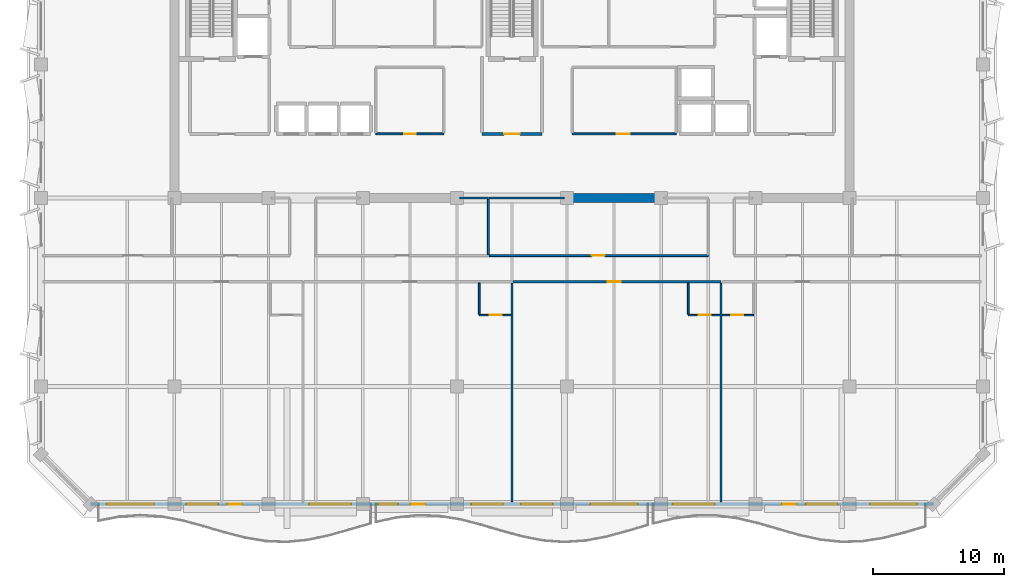
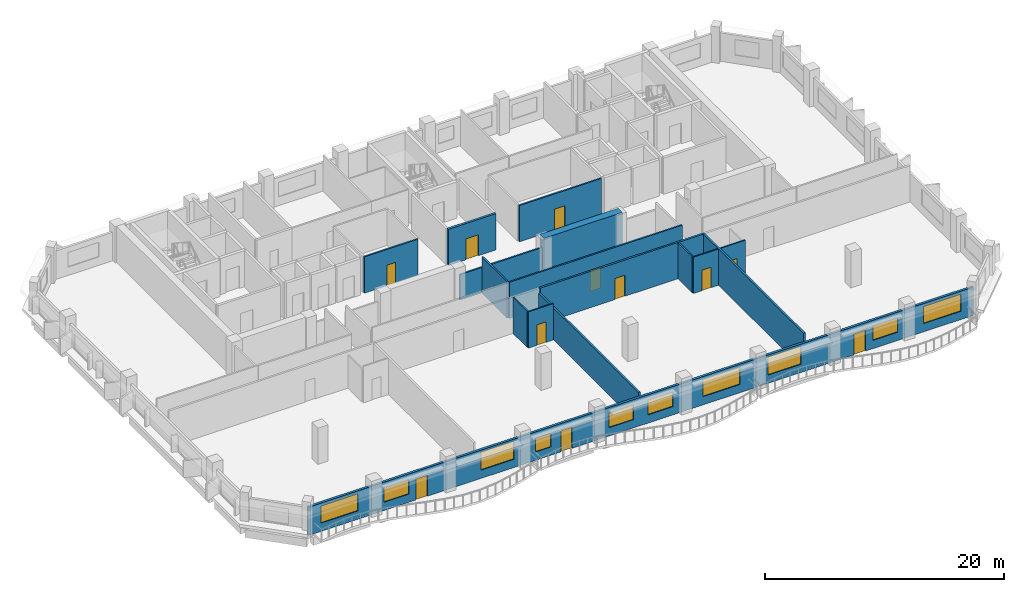
# One storey, part 4 of 11: 17 walls, 11 doors, 10 windows, 21 openings.
"""IFC4 building model written with IfcOpenShell, lengths in metres."""

import ifcopenshell
import ifcopenshell.guid

model = None  # the IFC model being written
_history = None  # IfcOwnerHistory: only IFC2X3 demands one
_inside = {}  # id of a spatial element -> (the spatial element, [elements in it])
_under = {}  # id of a project, library or spatial element -> (it, [spatial elements below it])
_declared = {}  # id of a project -> (the project, [libraries it declares])
_typed = {}  # id of a type object -> (the type object, [elements of that type])
_made_of = {}  # id of a material, layer set ... -> (it, [elements and type objects made of it])


def new_model(schema):
    """Start an empty IFC model of exactly this schema.

    Asked for "IFC4X3", IfcOpenShell would pick the latest addendum, in which some entities
    have other attributes; the version numbers below select the first issue.
    IFC2X3 requires an IfcOwnerHistory on every rooted entity: one is made here for all.
    """
    global model, _history
    if schema == "IFC4X3":
        model = ifcopenshell.file(schema_version=(4, 3, 0, 0))
    else:
        model = ifcopenshell.file(schema=schema)
    _inside.clear()
    _under.clear()
    _declared.clear()
    _typed.clear()
    _made_of.clear()
    _history = None
    if model.schema == "IFC2X3":
        org = make("IfcOrganization", Name="unknown")
        user = make(
            "IfcPersonAndOrganization",
            ThePerson=make("IfcPerson", FamilyName="unknown"),
            TheOrganization=org,
        )
        app = make(
            "IfcApplication",
            ApplicationDeveloper=org,
            Version="unknown",
            ApplicationFullName="unknown",
            ApplicationIdentifier="unknown",
        )
        _history = make(
            "IfcOwnerHistory",
            OwningUser=user,
            OwningApplication=app,
            ChangeAction="ADDED",
            CreationDate=0,
        )
    return model


def make(cls, **values):
    """One entity of the class cls with the attributes given. An attribute that is None is left unset."""
    return model.create_entity(
        cls, **{name: value for name, value in values.items() if value is not None}
    )


def rooted(cls, **values):
    """An entity with a GlobalId (a new one), such as an element, a storey or a relation."""
    return make(cls, GlobalId=ifcopenshell.guid.new(), OwnerHistory=_history, **values)


def si_unit(unit_type, name, prefix=None):
    """IfcSIUnit, for example si_unit("LENGTHUNIT", "METRE", prefix="MILLI")."""
    return make("IfcSIUnit", UnitType=unit_type, Prefix=prefix, Name=name)


def assignment(units):
    """IfcUnitAssignment: the units of a project."""
    return None if units is None else make("IfcUnitAssignment", Units=units)


def point(xyz):
    """IfcCartesianPoint."""
    return None if xyz is None else make("IfcCartesianPoint", Coordinates=xyz)


def direction(xyz):
    """IfcDirection."""
    return None if xyz is None else make("IfcDirection", DirectionRatios=xyz)


def frame(location, z_axis=None, x_axis=None):
    """IfcAxis2Placement3D, a coordinate frame: its origin and axes. An axis left out is left unset."""
    return make(
        "IfcAxis2Placement3D",
        Location=point(location),
        Axis=direction(z_axis),
        RefDirection=direction(x_axis),
    )


def frame_2d(location, x_axis=None):
    """IfcAxis2Placement2D, a coordinate frame in the plane: its origin and x axis."""
    return make(
        "IfcAxis2Placement2D", Location=point(location), RefDirection=direction(x_axis)
    )


def origin():
    """The frame at (0, 0, 0) with its axes left unset."""
    return frame((0.0, 0.0, 0.0))


def place(relative_to, where):
    """IfcLocalPlacement: puts the frame where relative to a parent placement (None: the world)."""
    return make(
        "IfcLocalPlacement", PlacementRelTo=relative_to, RelativePlacement=where
    )


def context(
    kind, dimensions, precision=None, world=None, true_north=None, identifier=None
):
    """IfcGeometricRepresentationContext, for example the 3D "Model" context."""
    return make(
        "IfcGeometricRepresentationContext",
        ContextIdentifier=identifier,
        ContextType=kind,
        CoordinateSpaceDimension=dimensions,
        Precision=precision,
        WorldCoordinateSystem=world,
        TrueNorth=true_north,
    )


def subcontext(parent, identifier, kind, view, scale=None):
    """IfcGeometricRepresentationSubContext, for example "Body" below "Model"."""
    return make(
        "IfcGeometricRepresentationSubContext",
        ContextIdentifier=identifier,
        ContextType=kind,
        ParentContext=parent,
        TargetScale=scale,
        TargetView=view,
    )


def project(units=None, contexts=None):
    """IfcProject with its units and contexts."""
    return rooted(
        "IfcProject",
        Name="project",
        RepresentationContexts=contexts,
        UnitsInContext=assignment(units),
    )


def spatial(cls, under=None, at=None, **own):
    """A site, building, storey or space (cls), placed at a placement, below another one or the project."""
    s = rooted(cls, ObjectPlacement=at, **own)
    if under is not None:
        _under.setdefault(under.id(), (under, []))[1].append(s)
    return s


def profile(cls, at=None, kind="AREA", **sizes):
    """A parametric profile (cls). Its sizes go by their IFC names, for example OverallWidth=200.0."""
    return make(cls, ProfileType=kind, Position=at, **sizes)


def rectangle(**sizes):
    """IfcRectangleProfileDef."""
    return profile("IfcRectangleProfileDef", **sizes)


def extrude(swept, where, along, depth):
    """IfcExtrudedAreaSolid: the profile swept, set in the frame where, extruded along a direction by depth."""
    return make(
        "IfcExtrudedAreaSolid",
        SweptArea=swept,
        Position=where,
        ExtrudedDirection=direction(along),
        Depth=depth,
    )


def shape(context_of_items, identifier, shape_type, items):
    """IfcShapeRepresentation: the items that make up one representation, for example the "Body"."""
    return make(
        "IfcShapeRepresentation",
        ContextOfItems=context_of_items,
        RepresentationIdentifier=identifier,
        RepresentationType=shape_type,
        Items=items,
    )


def material(Name=None, Category=None):
    """IfcMaterial."""
    return make("IfcMaterial", Name=Name, Category=Category)


def layer(
    of_material, thickness, ventilated=None, Name=None, Category=None, Priority=None
):
    """IfcMaterialLayer: one layer of a wall or slab, of a material (None: an air gap)."""
    return make(
        "IfcMaterialLayer",
        Material=of_material,
        LayerThickness=thickness,
        IsVentilated=ventilated,
        Name=Name,
        Category=Category,
        Priority=Priority,
    )


def layer_set(layers, Name=None):
    """IfcMaterialLayerSet."""
    return make("IfcMaterialLayerSet", MaterialLayers=layers, LayerSetName=Name)


def made_of(thing, what):
    """Note that an element or type object is made of a material, layer set ...; save() writes the relation."""
    if what is not None:
        _made_of.setdefault(what.id(), (what, []))[1].append(thing)
    return thing


def type_object(cls, material=None, **own):
    """A type object (cls), such as IfcWallType, which elements share."""
    return made_of(rooted(cls, **own), material)


def element(
    cls,
    number,
    at=None,
    inside=None,
    cuts=None,
    type_object=None,
    material=None,
    context=None,
    identifier="Body",
    shape_type=None,
    held_by="IfcProductDefinitionShape",
    body=None,
    shapes=None,
    **own,
):
    """One element of the class cls, such as IfcWall. Its Tag is "e" and its number.

    at: its placement. inside: the storey or other place that contains it. cuts: it is an
    opening in that element (IfcRelVoidsElement). A single representation is given by context,
    identifier, shape_type and body (its items); several are given by shapes. held_by: the class
    of the entity that holds the representations. save() writes the other relations.
    """
    e = rooted(cls, Tag="e%d" % number, ObjectPlacement=at, **own)
    if body is not None:
        shapes = [shape(context, identifier, shape_type, body)]
    if shapes is not None:
        e.Representation = make(held_by, Representations=shapes)
    if inside is not None:
        _inside.setdefault(inside.id(), (inside, []))[1].append(e)
    if cuts is not None:
        rooted(
            "IfcRelVoidsElement", RelatingBuildingElement=cuts, RelatedOpeningElement=e
        )
    if type_object is not None:
        _typed.setdefault(type_object.id(), (type_object, []))[1].append(e)
    return made_of(e, material)


def fill(opening, filler):
    """IfcRelFillsElement: the door or window that sits in an opening."""
    return rooted(
        "IfcRelFillsElement",
        RelatingOpeningElement=opening,
        RelatedBuildingElement=filler,
    )


def aggregate(whole, parts):
    """IfcRelAggregates: a whole, such as a stair, and the parts it consists of."""
    return rooted("IfcRelAggregates", RelatingObject=whole, RelatedObjects=parts)


def save(model, path):
    """Write the relations noted so far, then the file.

    IfcRelAggregates (storeys below a building ...), IfcRelContainedInSpatialStructure (elements
    in a storey), IfcRelDefinesByType, IfcRelAssociatesMaterial and IfcRelDeclares: one each for
    every whole, place, type object, material and project.
    """
    for whole, parts in _under.values():
        aggregate(whole, parts)
    for where, things in _inside.values():
        rooted(
            "IfcRelContainedInSpatialStructure",
            RelatedElements=things,
            RelatingStructure=where,
        )
    for kind, things in _typed.values():
        rooted("IfcRelDefinesByType", RelatedObjects=things, RelatingType=kind)
    for what, things in _made_of.values():
        rooted("IfcRelAssociatesMaterial", RelatedObjects=things, RelatingMaterial=what)
    for by, libraries in _declared.values():
        rooted("IfcRelDeclares", RelatingContext=by, RelatedDefinitions=libraries)
    model.write(path)


model = new_model("IFC4")

# Units and contexts
model_context = context("Model", 3, precision=1e-05, world=origin(), true_north=direction((0.0, 1.0)))
body_context = subcontext(model_context, "Body", "Model", "MODEL_VIEW")
ifc_project = project(units=[si_unit("LENGTHUNIT", "METRE"), si_unit("AREAUNIT", "SQUARE_METRE"), si_unit("VOLUMEUNIT", "CUBIC_METRE"), si_unit("PLANEANGLEUNIT", "RADIAN"), si_unit("MASSUNIT", "GRAM", prefix="KILO")], contexts=[model_context])

# Site, building, storey
site_placement = place(None, origin())
site = spatial("IfcSite", under=ifc_project, at=site_placement, CompositionType="ELEMENT")
building_placement = place(site_placement, origin())
building = spatial("IfcBuilding", under=site, at=building_placement, Name="Kaelvorn Grand Hotel", CompositionType="ELEMENT")
storey_placement = place(building_placement, frame((0.0, 0.0, 272.60009765625)))
storey = spatial("IfcBuildingStorey", under=building, at=storey_placement, Name="L67", CompositionType="ELEMENT", Elevation=272.60009765625)

# Wall
ifc_material_1 = material(Name="Concrete C50/60", Category="concrete")
ifc_layer_1 = layer(ifc_material_1, 0.699951171875)
ifc_layer_set_1 = layer_set([ifc_layer_1], Name="Concrete C50/60")
wall_type_1 = type_object("IfcWallType", Name="WL-CORE-700-C50", PredefinedType="SHEAR", material=ifc_layer_set_1)
wall_1_placement = place(storey_placement, frame((46.0, 29.39990234375, 0.0), z_axis=(0.0, 0.0, 1.0), x_axis=(1.0, 0.0, 0.0)))
element("IfcWall", 1, at=wall_1_placement, inside=storey, type_object=wall_type_1, Name="L67 Rear-Core Coupled Shear Pier S3", PredefinedType="SHEAR", context=body_context, shape_type="SweptSolid", body=[
    extrude(rectangle(XDim=7.60009765625, YDim=0.699951171875, at=frame_2d((3.800048828125, 0.0))), origin(), (0.0, 0.0, 1.0), 3.7099609375),
])

# Wall, openings, doors, windows
ifc_material_2 = material(Name="Concrete C40/50", Category="concrete")
ifc_layer_2 = layer(ifc_material_2, 0.219970703125)
ifc_layer_set_2 = layer_set([ifc_layer_2], Name="Concrete C40/50")
wall_type_2 = type_object("IfcWallType", Name="WL-EXT-220-C40", PredefinedType="SOLIDWALL", material=ifc_layer_set_2)
wall_2_placement = place(storey_placement, frame((9.800048828125, 6.0, 0.0), z_axis=(0.0, 0.0, 1.0), x_axis=(1.0, 0.0, 0.0)))
wall_2 = element("IfcWall", 2, at=wall_2_placement, inside=storey, type_object=wall_type_2, Name="L67 Exterior Architectural Concrete Wall 01", PredefinedType="SOLIDWALL", context=body_context, shape_type="SweptSolid", body=[
    extrude(rectangle(XDim=64.39990234375, YDim=0.219970703125, at=frame_2d((32.199951171875, 0.0))), origin(), (0.0, 0.0, 1.0), 2.909912109375),
])
opening_1_placement = place(wall_2_placement, frame((10.449951171875, 0.0, 0.0)))
opening_1 = element("IfcOpeningElement", 3, at=opening_1_placement, cuts=wall_2, Name="Opening DE2", PredefinedType="OPENING", context=body_context, shape_type="SweptSolid", body=[
    extrude(rectangle(XDim=1.10009765625, YDim=2.14990234375, at=frame_2d((0.550048828125, 1.074951171875))), frame((0.0, 0.1201171875, 0.0), z_axis=(0.0, -1.0, 0.0), x_axis=(1.0, 0.0, 0.0)), (0.0, 0.0, 1.0), 0.239990234375),
])
opening_2_placement = place(wall_2_placement, frame((24.449951171875, 0.0, 0.0)))
opening_2 = element("IfcOpeningElement", 4, at=opening_2_placement, cuts=wall_2, Name="Opening DE2", PredefinedType="OPENING", context=body_context, shape_type="SweptSolid", body=[
    extrude(rectangle(XDim=1.10009765625, YDim=2.14990234375, at=frame_2d((0.550048828125, 1.074951171875))), frame((0.0, 0.1201171875, 0.0), z_axis=(0.0, -1.0, 0.0), x_axis=(1.0, 0.0, 0.0)), (0.0, 0.0, 1.0), 0.239990234375),
])
opening_3_placement = place(wall_2_placement, frame((52.85009765625, 0.0, 0.0)))
opening_3 = element("IfcOpeningElement", 5, at=opening_3_placement, cuts=wall_2, Name="Opening DE2", PredefinedType="OPENING", context=body_context, shape_type="SweptSolid", body=[
    extrude(rectangle(XDim=1.10009765625, YDim=2.14990234375, at=frame_2d((0.550048828125, 1.074951171875))), frame((0.0, 0.1201171875, 0.0), z_axis=(0.0, -1.0, 0.0), x_axis=(1.0, 0.0, 0.0)), (0.0, 0.0, 1.0), 0.239990234375),
])
opening_4_placement = place(wall_2_placement, frame((1.235107421875, 0.0, 0.85009765625)))
opening_4 = element("IfcOpeningElement", 6, at=opening_4_placement, cuts=wall_2, Name="Opening W3", PredefinedType="OPENING", context=body_context, shape_type="SweptSolid", body=[
    extrude(rectangle(XDim=3.60009765625, YDim=1.75, at=frame_2d((1.800048828125, 0.875))), frame((0.0, 0.1201171875, 0.0), z_axis=(0.0, -1.0, 0.0), x_axis=(1.0, 0.0, 0.0)), (0.0, 0.0, 1.0), 0.239990234375),
])
opening_5_placement = place(wall_2_placement, frame((7.340087890625, 0.0, 0.85009765625)))
opening_5 = element("IfcOpeningElement", 7, at=opening_5_placement, cuts=wall_2, Name="Opening W6", PredefinedType="OPENING", context=body_context, shape_type="SweptSolid", body=[
    extrude(rectangle(XDim=2.39990234375, YDim=1.5, at=frame_2d((1.199951171875, 0.75))), frame((0.0, 0.1201171875, 0.0), z_axis=(0.0, -1.0, 0.0), x_axis=(1.0, 0.0, 0.0)), (0.0, 0.0, 1.0), 0.239990234375),
])
opening_6_placement = place(wall_2_placement, frame((16.71240234375, 0.0, 0.85009765625)))
opening_6 = element("IfcOpeningElement", 8, at=opening_6_placement, cuts=wall_2, Name="Opening W4", PredefinedType="OPENING", context=body_context, shape_type="SweptSolid", body=[
    extrude(rectangle(XDim=3.199951171875, YDim=1.85009765625, at=frame_2d((1.60009765625, 0.925048828125))), frame((0.0, 0.1201171875, 0.0), z_axis=(0.0, -1.0, 0.0), x_axis=(1.0, 0.0, 0.0)), (0.0, 0.0, 1.0), 0.239990234375),
])
opening_7_placement = place(wall_2_placement, frame((21.989990234375, 0.0, 0.85009765625)))
opening_7 = element("IfcOpeningElement", 9, at=opening_7_placement, cuts=wall_2, Name="Opening W10", PredefinedType="OPENING", context=body_context, shape_type="SweptSolid", body=[
    extrude(rectangle(XDim=1.5, YDim=1.39990234375, at=frame_2d((0.75, 0.699951171875))), frame((0.0, 0.1201171875, 0.0), z_axis=(0.0, -1.0, 0.0), x_axis=(1.0, 0.0, 0.0)), (0.0, 0.0, 1.0), 0.239990234375),
])
opening_8_placement = place(wall_2_placement, frame((29.10009765625, 0.0, 0.85009765625)))
opening_8 = element("IfcOpeningElement", 10, at=opening_8_placement, cuts=wall_2, Name="Opening W6", PredefinedType="OPENING", context=body_context, shape_type="SweptSolid", body=[
    extrude(rectangle(XDim=2.39990234375, YDim=1.5, at=frame_2d((1.199951171875, 0.75))), frame((0.0, 0.1201171875, 0.0), z_axis=(0.0, -1.0, 0.0), x_axis=(1.0, 0.0, 0.0)), (0.0, 0.0, 1.0), 0.239990234375),
])
opening_9_placement = place(wall_2_placement, frame((32.89990234375, 0.0, 0.85009765625)))
opening_9 = element("IfcOpeningElement", 11, at=opening_9_placement, cuts=wall_2, Name="Opening W6", PredefinedType="OPENING", context=body_context, shape_type="SweptSolid", body=[
    extrude(rectangle(XDim=2.39990234375, YDim=1.5, at=frame_2d((1.199951171875, 0.75))), frame((0.0, 0.1201171875, 0.0), z_axis=(0.0, -1.0, 0.0), x_axis=(1.0, 0.0, 0.0)), (0.0, 0.0, 1.0), 0.239990234375),
])
opening_10_placement = place(wall_2_placement, frame((38.199951171875, 0.0, 0.85009765625)))
opening_10 = element("IfcOpeningElement", 12, at=opening_10_placement, cuts=wall_2, Name="Opening W3", PredefinedType="OPENING", context=body_context, shape_type="SweptSolid", body=[
    extrude(rectangle(XDim=3.60009765625, YDim=1.75, at=frame_2d((1.800048828125, 0.875))), frame((0.0, 0.1201171875, 0.0), z_axis=(0.0, -1.0, 0.0), x_axis=(1.0, 0.0, 0.0)), (0.0, 0.0, 1.0), 0.239990234375),
])
opening_11_placement = place(wall_2_placement, frame((44.487548828125, 0.0, 0.85009765625)))
opening_11 = element("IfcOpeningElement", 13, at=opening_11_placement, cuts=wall_2, Name="Opening W4", PredefinedType="OPENING", context=body_context, shape_type="SweptSolid", body=[
    extrude(rectangle(XDim=3.199951171875, YDim=1.85009765625, at=frame_2d((1.60009765625, 0.925048828125))), frame((0.0, 0.1201171875, 0.0), z_axis=(0.0, -1.0, 0.0), x_axis=(1.0, 0.0, 0.0)), (0.0, 0.0, 1.0), 0.239990234375),
])
opening_12_placement = place(wall_2_placement, frame((54.659912109375, 0.0, 0.85009765625)))
opening_12 = element("IfcOpeningElement", 14, at=opening_12_placement, cuts=wall_2, Name="Opening W6", PredefinedType="OPENING", context=body_context, shape_type="SweptSolid", body=[
    extrude(rectangle(XDim=2.39990234375, YDim=1.5, at=frame_2d((1.199951171875, 0.75))), frame((0.0, 0.1201171875, 0.0), z_axis=(0.0, -1.0, 0.0), x_axis=(1.0, 0.0, 0.0)), (0.0, 0.0, 1.0), 0.239990234375),
])
opening_13_placement = place(wall_2_placement, frame((59.56494140625, 0.0, 0.85009765625)))
opening_13 = element("IfcOpeningElement", 15, at=opening_13_placement, cuts=wall_2, Name="Opening W3", PredefinedType="OPENING", context=body_context, shape_type="SweptSolid", body=[
    extrude(rectangle(XDim=3.60009765625, YDim=1.75, at=frame_2d((1.800048828125, 0.875))), frame((0.0, 0.1201171875, 0.0), z_axis=(0.0, -1.0, 0.0), x_axis=(1.0, 0.0, 0.0)), (0.0, 0.0, 1.0), 0.239990234375),
])
ifc_material_3 = material(Name="Anodised Aluminium", Category="aluminium")
door_type_1 = type_object("IfcDoorType", Name="DR-EXT-BALC-1100x2150", OperationType="NOTDEFINED", PredefinedType="DOOR", material=ifc_material_3)
door_1_placement = place(opening_1_placement, origin())
door_1 = element("IfcDoor", 16, at=door_1_placement, inside=storey, type_object=door_type_1, Name="L67 Scalloped Balcony Glazed Door DE2-1", OperationType="SINGLE_SWING_RIGHT", OverallHeight=2.14990234375, OverallWidth=1.10009765625, PredefinedType="DOOR", context=body_context, shape_type="SweptSolid", body=[
    extrude(rectangle(XDim=1.10009765625, YDim=2.14990234375, at=frame_2d((0.550048828125, 1.074951171875))), frame((0.0, 0.02490234375, 0.0), z_axis=(0.0, -1.0, 0.0), x_axis=(1.0, 0.0, 0.0)), (0.0, 0.0, 1.0), 0.050048828125),
])
fill(opening_1, door_1)
door_2_placement = place(opening_2_placement, origin())
door_2 = element("IfcDoor", 17, at=door_2_placement, inside=storey, type_object=door_type_1, Name="L67 Scalloped Balcony Glazed Door DE2-2", OperationType="SINGLE_SWING_LEFT", OverallHeight=2.14990234375, OverallWidth=1.10009765625, PredefinedType="DOOR", context=body_context, shape_type="SweptSolid", body=[
    extrude(rectangle(XDim=1.10009765625, YDim=2.14990234375, at=frame_2d((0.550048828125, 1.074951171875))), frame((0.0, 0.02490234375, 0.0), z_axis=(0.0, -1.0, 0.0), x_axis=(1.0, 0.0, 0.0)), (0.0, 0.0, 1.0), 0.050048828125),
])
fill(opening_2, door_2)
door_3_placement = place(opening_3_placement, origin())
door_3 = element("IfcDoor", 18, at=door_3_placement, inside=storey, type_object=door_type_1, Name="L67 Scalloped Balcony Glazed Door DE2-3", OperationType="SINGLE_SWING_RIGHT", OverallHeight=2.14990234375, OverallWidth=1.10009765625, PredefinedType="DOOR", context=body_context, shape_type="SweptSolid", body=[
    extrude(rectangle(XDim=1.10009765625, YDim=2.14990234375, at=frame_2d((0.550048828125, 1.074951171875))), frame((0.0, 0.02490234375, 0.0), z_axis=(0.0, -1.0, 0.0), x_axis=(1.0, 0.0, 0.0)), (0.0, 0.0, 1.0), 0.050048828125),
])
fill(opening_3, door_3)
ifc_material_4 = material(Name="Laminated Low-E Glass", Category="glass")
window_type_1 = type_object("IfcWindowType", Name="WIN-COR-1500x1400", PartitioningType="SINGLE_PANEL", PredefinedType="WINDOW", material=ifc_material_4)
window_1_placement = place(opening_7_placement, origin())
window_1 = element("IfcWindow", 19, at=window_1_placement, inside=storey, type_object=window_type_1, Name="L67 South Guestroom Ribbon Window SR04", OverallHeight=1.39990234375, OverallWidth=1.5, PartitioningType="SINGLE_PANEL", PredefinedType="WINDOW", context=body_context, shape_type="SweptSolid", body=[
    extrude(rectangle(XDim=1.5, YDim=1.39990234375, at=frame_2d((0.75, 0.699951171875))), frame((0.0, 0.030029296875, 0.0), z_axis=(0.0, -1.0, 0.0), x_axis=(1.0, 0.0, 0.0)), (0.0, 0.0, 1.0), 0.06005859375),
])
fill(opening_7, window_1)
window_type_2 = type_object("IfcWindowType", Name="WIN-NTH-2400x1500", PartitioningType="SINGLE_PANEL", PredefinedType="WINDOW", material=ifc_material_4)
window_2_placement = place(opening_5_placement, origin())
window_2 = element("IfcWindow", 20, at=window_2_placement, inside=storey, type_object=window_type_2, Name="L67 South Guestroom Ribbon Window SR02", OverallHeight=1.5, OverallWidth=2.39990234375, PartitioningType="SINGLE_PANEL", PredefinedType="WINDOW", context=body_context, shape_type="SweptSolid", body=[
    extrude(rectangle(XDim=2.39990234375, YDim=1.5, at=frame_2d((1.199951171875, 0.75))), frame((0.0, 0.030029296875, 0.0), z_axis=(0.0, -1.0, 0.0), x_axis=(1.0, 0.0, 0.0)), (0.0, 0.0, 1.0), 0.06005859375),
])
fill(opening_5, window_2)
window_3_placement = place(opening_8_placement, origin())
window_3 = element("IfcWindow", 21, at=window_3_placement, inside=storey, type_object=window_type_2, Name="L67 South Guestroom Ribbon Window SR05", OverallHeight=1.5, OverallWidth=2.39990234375, PartitioningType="SINGLE_PANEL", PredefinedType="WINDOW", context=body_context, shape_type="SweptSolid", body=[
    extrude(rectangle(XDim=2.39990234375, YDim=1.5, at=frame_2d((1.199951171875, 0.75))), frame((0.0, 0.030029296875, 0.0), z_axis=(0.0, -1.0, 0.0), x_axis=(1.0, 0.0, 0.0)), (0.0, 0.0, 1.0), 0.06005859375),
])
fill(opening_8, window_3)
window_4_placement = place(opening_9_placement, origin())
window_4 = element("IfcWindow", 22, at=window_4_placement, inside=storey, type_object=window_type_2, Name="L67 South Guestroom Ribbon Window SR06", OverallHeight=1.5, OverallWidth=2.39990234375, PartitioningType="SINGLE_PANEL", PredefinedType="WINDOW", context=body_context, shape_type="SweptSolid", body=[
    extrude(rectangle(XDim=2.39990234375, YDim=1.5, at=frame_2d((1.199951171875, 0.75))), frame((0.0, 0.030029296875, 0.0), z_axis=(0.0, -1.0, 0.0), x_axis=(1.0, 0.0, 0.0)), (0.0, 0.0, 1.0), 0.06005859375),
])
fill(opening_9, window_4)
window_5_placement = place(opening_12_placement, origin())
window_5 = element("IfcWindow", 23, at=window_5_placement, inside=storey, type_object=window_type_2, Name="L67 South Guestroom Ribbon Window SR09", OverallHeight=1.5, OverallWidth=2.39990234375, PartitioningType="SINGLE_PANEL", PredefinedType="WINDOW", context=body_context, shape_type="SweptSolid", body=[
    extrude(rectangle(XDim=2.39990234375, YDim=1.5, at=frame_2d((1.199951171875, 0.75))), frame((0.0, 0.030029296875, 0.0), z_axis=(0.0, -1.0, 0.0), x_axis=(1.0, 0.0, 0.0)), (0.0, 0.0, 1.0), 0.06005859375),
])
fill(opening_12, window_5)
window_type_3 = type_object("IfcWindowType", Name="WIN-RIB-3200x1850", PartitioningType="SINGLE_PANEL", PredefinedType="WINDOW", material=ifc_material_4)
window_6_placement = place(opening_6_placement, origin())
window_6 = element("IfcWindow", 24, at=window_6_placement, inside=storey, type_object=window_type_3, Name="L67 South Guestroom Ribbon Window SR03", OverallHeight=1.85009765625, OverallWidth=3.199951171875, PartitioningType="SINGLE_PANEL", PredefinedType="WINDOW", context=body_context, shape_type="SweptSolid", body=[
    extrude(rectangle(XDim=3.199951171875, YDim=1.85009765625, at=frame_2d((1.60009765625, 0.925048828125))), frame((0.0, 0.030029296875, 0.0), z_axis=(0.0, -1.0, 0.0), x_axis=(1.0, 0.0, 0.0)), (0.0, 0.0, 1.0), 0.06005859375),
])
fill(opening_6, window_6)
window_7_placement = place(opening_11_placement, origin())
window_7 = element("IfcWindow", 25, at=window_7_placement, inside=storey, type_object=window_type_3, Name="L67 South Guestroom Ribbon Window SR08", OverallHeight=1.85009765625, OverallWidth=3.199951171875, PartitioningType="SINGLE_PANEL", PredefinedType="WINDOW", context=body_context, shape_type="SweptSolid", body=[
    extrude(rectangle(XDim=3.199951171875, YDim=1.85009765625, at=frame_2d((1.60009765625, 0.925048828125))), frame((0.0, 0.030029296875, 0.0), z_axis=(0.0, -1.0, 0.0), x_axis=(1.0, 0.0, 0.0)), (0.0, 0.0, 1.0), 0.06005859375),
])
fill(opening_11, window_7)
window_type_4 = type_object("IfcWindowType", Name="WIN-RIB-3600x1750", PartitioningType="SINGLE_PANEL", PredefinedType="WINDOW", material=ifc_material_4)
window_8_placement = place(opening_4_placement, origin())
window_8 = element("IfcWindow", 26, at=window_8_placement, inside=storey, type_object=window_type_4, Name="L67 South Guestroom Ribbon Window SR01", OverallHeight=1.75, OverallWidth=3.60009765625, PartitioningType="SINGLE_PANEL", PredefinedType="WINDOW", context=body_context, shape_type="SweptSolid", body=[
    extrude(rectangle(XDim=3.60009765625, YDim=1.75, at=frame_2d((1.800048828125, 0.875))), frame((0.0, 0.030029296875, 0.0), z_axis=(0.0, -1.0, 0.0), x_axis=(1.0, 0.0, 0.0)), (0.0, 0.0, 1.0), 0.06005859375),
])
fill(opening_4, window_8)
window_9_placement = place(opening_10_placement, origin())
window_9 = element("IfcWindow", 27, at=window_9_placement, inside=storey, type_object=window_type_4, Name="L67 South Guestroom Ribbon Window SR07", OverallHeight=1.75, OverallWidth=3.60009765625, PartitioningType="SINGLE_PANEL", PredefinedType="WINDOW", context=body_context, shape_type="SweptSolid", body=[
    extrude(rectangle(XDim=3.60009765625, YDim=1.75, at=frame_2d((1.800048828125, 0.875))), frame((0.0, 0.030029296875, 0.0), z_axis=(0.0, -1.0, 0.0), x_axis=(1.0, 0.0, 0.0)), (0.0, 0.0, 1.0), 0.06005859375),
])
fill(opening_10, window_9)
window_10_placement = place(opening_13_placement, origin())
window_10 = element("IfcWindow", 28, at=window_10_placement, inside=storey, type_object=window_type_4, Name="L67 South Guestroom Ribbon Window SR10", OverallHeight=1.75, OverallWidth=3.60009765625, PartitioningType="SINGLE_PANEL", PredefinedType="WINDOW", context=body_context, shape_type="SweptSolid", body=[
    extrude(rectangle(XDim=3.60009765625, YDim=1.75, at=frame_2d((1.800048828125, 0.875))), frame((0.0, 0.030029296875, 0.0), z_axis=(0.0, -1.0, 0.0), x_axis=(1.0, 0.0, 0.0)), (0.0, 0.0, 1.0), 0.06005859375),
])
fill(opening_13, window_10)

# Wall, opening, door
ifc_material_5 = material(Name="Moisture-Resistant Tile & Stud Board")
ifc_layer_3 = layer(ifc_material_5, 0.125)
ifc_layer_set_3 = layer_set([ifc_layer_3], Name="Moisture-Resistant Tile & Stud Board")
wall_type_3 = type_object("IfcWallType", Name="WL-PART-125-WET", PredefinedType="PARTITIONING", material=ifc_layer_set_3)
wall_3_placement = place(storey_placement, frame((39.5, 20.449951171875, 0.0), z_axis=(0.0, 0.0, 1.0), x_axis=(1.0, 0.0, 0.0)))
wall_3 = element("IfcWall", 29, at=wall_3_placement, inside=storey, type_object=wall_type_3, Name="L67 En-suite Bathroom L67-02 S Partition", PredefinedType="PARTITIONING", context=body_context, shape_type="SweptSolid", body=[
    extrude(rectangle(XDim=2.405029296875, YDim=0.125, at=frame_2d((1.20263671875, 0.0))), origin(), (0.0, 0.0, 1.0), 3.7099609375),
])
opening_14_placement = place(wall_3_placement, frame((0.800048828125, 0.0, 0.0)))
opening_14 = element("IfcOpeningElement", 30, at=opening_14_placement, cuts=wall_3, Name="Opening DI4", PredefinedType="OPENING", context=body_context, shape_type="SweptSolid", body=[
    extrude(rectangle(XDim=0.89990234375, YDim=2.10009765625, at=frame_2d((0.449951171875, 1.050048828125))), frame((0.0, 0.072509765625, 0.0), z_axis=(0.0, -1.0, 0.0), x_axis=(1.0, 0.0, 0.0)), (0.0, 0.0, 1.0), 0.14501953125),
])
ifc_material_6 = material(Name="Timber Veneer Leaf", Category="wood")
door_type_2 = type_object("IfcDoorType", Name="DR-INT-BATH-900x2100", OperationType="NOTDEFINED", PredefinedType="DOOR", material=ifc_material_6)
door_4_placement = place(opening_14_placement, origin())
door_4 = element("IfcDoor", 31, at=door_4_placement, inside=storey, type_object=door_type_2, Name="L67 En-suite Bathroom L67-02 Door", OperationType="SINGLE_SWING_LEFT", OverallHeight=2.10009765625, OverallWidth=0.89990234375, PredefinedType="DOOR", context=body_context, shape_type="SweptSolid", body=[
    extrude(rectangle(XDim=0.89990234375, YDim=2.10009765625, at=frame_2d((0.449951171875, 1.050048828125))), frame((0.0, 0.02490234375, 0.0), z_axis=(0.0, -1.0, 0.0), x_axis=(1.0, 0.0, 0.0)), (0.0, 0.0, 1.0), 0.050048828125),
])
fill(opening_14, door_4)

# Wall
wall_4_placement = place(storey_placement, frame((39.5, 20.517578125, 0.0), z_axis=(0.0, 0.0, 1.0), x_axis=(0.0, 1.0, 0.0)))
element("IfcWall", 32, at=wall_4_placement, inside=storey, type_object=wall_type_3, Name="L67 En-suite Bathroom L67-02 W Partition", PredefinedType="PARTITIONING", context=body_context, shape_type="SweptSolid", body=[
    extrude(rectangle(XDim=2.387451171875, YDim=0.125, at=frame_2d((1.19384765625, 0.0))), origin(), (0.0, 0.0, 1.0), 3.7099609375),
])

# Wall, opening, door
wall_5_placement = place(storey_placement, frame((55.47509765625, 20.449951171875, 0.0), z_axis=(0.0, 0.0, 1.0), x_axis=(1.0, 0.0, 0.0)))
wall_5 = element("IfcWall", 33, at=wall_5_placement, inside=storey, type_object=wall_type_3, Name="L67 En-suite Bathroom L67-03 S Partition", PredefinedType="PARTITIONING", context=body_context, shape_type="SweptSolid", body=[
    extrude(rectangle(XDim=2.40478515625, YDim=0.125, at=frame_2d((1.202392578125, 0.0))), origin(), (0.0, 0.0, 1.0), 3.7099609375),
])
opening_15_placement = place(wall_5_placement, frame((0.800048828125, 0.0, 0.0)))
opening_15 = element("IfcOpeningElement", 34, at=opening_15_placement, cuts=wall_5, Name="Opening DI4", PredefinedType="OPENING", context=body_context, shape_type="SweptSolid", body=[
    extrude(rectangle(XDim=0.89990234375, YDim=2.10009765625, at=frame_2d((0.449951171875, 1.050048828125))), frame((0.0, 0.072509765625, 0.0), z_axis=(0.0, -1.0, 0.0), x_axis=(1.0, 0.0, 0.0)), (0.0, 0.0, 1.0), 0.14501953125),
])
door_5_placement = place(opening_15_placement, origin())
door_5 = element("IfcDoor", 35, at=door_5_placement, inside=storey, type_object=door_type_2, Name="L67 En-suite Bathroom L67-03 Door", OperationType="SINGLE_SWING_LEFT", OverallHeight=2.10009765625, OverallWidth=0.89990234375, PredefinedType="DOOR", context=body_context, shape_type="SweptSolid", body=[
    extrude(rectangle(XDim=0.89990234375, YDim=2.10009765625, at=frame_2d((0.449951171875, 1.050048828125))), frame((0.0, 0.02490234375, 0.0), z_axis=(0.0, -1.0, 0.0), x_axis=(1.0, 0.0, 0.0)), (0.0, 0.0, 1.0), 0.050048828125),
])
fill(opening_15, door_5)

# Wall
wall_6_placement = place(storey_placement, frame((55.47509765625, 20.517578125, 0.0), z_axis=(0.0, 0.0, 1.0), x_axis=(0.0, 1.0, 0.0)))
element("IfcWall", 36, at=wall_6_placement, inside=storey, type_object=wall_type_3, Name="L67 En-suite Bathroom L67-03 W Partition", PredefinedType="PARTITIONING", context=body_context, shape_type="SweptSolid", body=[
    extrude(rectangle(XDim=2.387451171875, YDim=0.125, at=frame_2d((1.19384765625, 0.0))), origin(), (0.0, 0.0, 1.0), 3.7099609375),
])

# Wall, opening, door
wall_7_placement = place(storey_placement, frame((58.070068359375, 20.449951171875, 0.0), z_axis=(0.0, 0.0, 1.0), x_axis=(1.0, 0.0, 0.0)))
wall_7 = element("IfcWall", 37, at=wall_7_placement, inside=storey, type_object=wall_type_3, Name="L67 En-suite Bathroom L67-04 S Partition", PredefinedType="PARTITIONING", context=body_context, shape_type="SweptSolid", body=[
    extrude(rectangle(XDim=2.405029296875, YDim=0.125, at=frame_2d((1.20263671875, 0.0))), origin(), (0.0, 0.0, 1.0), 3.7099609375),
])
opening_16_placement = place(wall_7_placement, frame((0.705078125, 0.0, 0.0)))
opening_16 = element("IfcOpeningElement", 38, at=opening_16_placement, cuts=wall_7, Name="Opening DI4", PredefinedType="OPENING", context=body_context, shape_type="SweptSolid", body=[
    extrude(rectangle(XDim=0.89990234375, YDim=2.10009765625, at=frame_2d((0.449951171875, 1.050048828125))), frame((0.0, 0.072509765625, 0.0), z_axis=(0.0, -1.0, 0.0), x_axis=(1.0, 0.0, 0.0)), (0.0, 0.0, 1.0), 0.14501953125),
])
door_6_placement = place(opening_16_placement, origin())
door_6 = element("IfcDoor", 39, at=door_6_placement, inside=storey, type_object=door_type_2, Name="L67 En-suite Bathroom L67-04 Door", OperationType="SINGLE_SWING_LEFT", OverallHeight=2.10009765625, OverallWidth=0.89990234375, PredefinedType="DOOR", context=body_context, shape_type="SweptSolid", body=[
    extrude(rectangle(XDim=0.89990234375, YDim=2.10009765625, at=frame_2d((0.449951171875, 1.050048828125))), frame((0.0, 0.02490234375, 0.0), z_axis=(0.0, -1.0, 0.0), x_axis=(1.0, 0.0, 0.0)), (0.0, 0.0, 1.0), 0.050048828125),
])
fill(opening_16, door_6)

ifc_material_7 = material(Name="Acoustic Gypsum & Stud Partition")
ifc_layer_4 = layer(ifc_material_7, 0.14990234375)
ifc_layer_set_4 = layer_set([ifc_layer_4], Name="Acoustic Gypsum & Stud Partition")
wall_type_4 = type_object("IfcWallType", Name="WL-PART-150-EI60", PredefinedType="PARTITIONING", material=ifc_layer_set_4)
wall_8_placement = place(storey_placement, frame((31.60009765625, 34.300048828125, 0.0), z_axis=(0.0, 0.0, 1.0), x_axis=(1.0, 0.0, 0.0)))
wall_8 = element("IfcWall", 40, at=wall_8_placement, inside=storey, type_object=wall_type_4, Name="L67 Core Telecoms & BMS Server Room S Partition", PredefinedType="PARTITIONING", context=body_context, shape_type="SweptSolid", body=[
    extrude(rectangle(XDim=5.199951171875, YDim=0.14990234375, at=frame_2d((2.60009765625, 0.0))), origin(), (0.0, 0.0, 1.0), 3.7099609375),
])
opening_17_placement = place(wall_8_placement, frame((2.175048828125, 0.0, 0.0)))
opening_17 = element("IfcOpeningElement", 41, at=opening_17_placement, cuts=wall_8, Name="Opening DI7", PredefinedType="OPENING", context=body_context, shape_type="SweptSolid", body=[
    extrude(rectangle(XDim=0.85009765625, YDim=2.10009765625, at=frame_2d((0.425048828125, 1.050048828125))), frame((0.0, 0.0849609375, 0.0), z_axis=(0.0, -1.0, 0.0), x_axis=(1.0, 0.0, 0.0)), (0.0, 0.0, 1.0), 0.169921875),
])
ifc_material_8 = material(Name="Powder-Coated Steel Leaf", Category="steel")
door_type_3 = type_object("IfcDoorType", Name="DR-INT-RISER-850x2100", OperationType="NOTDEFINED", PredefinedType="DOOR", material=ifc_material_8)
door_7_placement = place(opening_17_placement, origin())
door_7 = element("IfcDoor", 42, at=door_7_placement, inside=storey, type_object=door_type_3, Name="L67 Core Telecoms & BMS Server Room Door", OperationType="SINGLE_SWING_LEFT", OverallHeight=2.10009765625, OverallWidth=0.85009765625, PredefinedType="DOOR", context=body_context, shape_type="SweptSolid", body=[
    extrude(rectangle(XDim=0.85009765625, YDim=2.10009765625, at=frame_2d((0.425048828125, 1.050048828125))), frame((0.0, 0.02490234375, 0.0), z_axis=(0.0, -1.0, 0.0), x_axis=(1.0, 0.0, 0.0)), (0.0, 0.0, 1.0), 0.050048828125),
])
fill(opening_17, door_7)

wall_9_placement = place(storey_placement, frame((46.60009765625, 34.300048828125, 0.0), z_axis=(0.0, 0.0, 1.0), x_axis=(1.0, 0.0, 0.0)))
wall_9 = element("IfcWall", 43, at=wall_9_placement, inside=storey, type_object=wall_type_4, Name="L67 Sky Concierge & Butler Pantry Lounge S Partition", PredefinedType="PARTITIONING", context=body_context, shape_type="SweptSolid", body=[
    extrude(rectangle(XDim=7.949951171875, YDim=0.14990234375, at=frame_2d((3.97509765625, 0.0))), origin(), (0.0, 0.0, 1.0), 3.7099609375),
])
opening_18_placement = place(wall_9_placement, frame((3.39990234375, 0.0, 0.0)))
opening_18 = element("IfcOpeningElement", 44, at=opening_18_placement, cuts=wall_9, Name="Opening DI3", PredefinedType="OPENING", context=body_context, shape_type="SweptSolid", body=[
    extrude(rectangle(XDim=1.0, YDim=2.14990234375, at=frame_2d((0.5, 1.074951171875))), frame((0.0, 0.0849609375, 0.0), z_axis=(0.0, -1.0, 0.0), x_axis=(1.0, 0.0, 0.0)), (0.0, 0.0, 1.0), 0.169921875),
])
ifc_material_9 = material(Name="Timber Veneer Fire Leaf", Category="wood")
door_type_4 = type_object("IfcDoorType", Name="DR-INT-GUEST-1000x2150", OperationType="NOTDEFINED", PredefinedType="DOOR", material=ifc_material_9)
door_8_placement = place(opening_18_placement, origin())
door_8 = element("IfcDoor", 45, at=door_8_placement, inside=storey, type_object=door_type_4, Name="L67 Sky Concierge & Butler Pantry Lounge Door", OperationType="SINGLE_SWING_RIGHT", OverallHeight=2.14990234375, OverallWidth=1.0, PredefinedType="DOOR", context=body_context, shape_type="SweptSolid", body=[
    extrude(rectangle(XDim=1.0, YDim=2.14990234375, at=frame_2d((0.5, 1.074951171875))), frame((0.0, 0.02490234375, 0.0), z_axis=(0.0, -1.0, 0.0), x_axis=(1.0, 0.0, 0.0)), (0.0, 0.0, 1.0), 0.050048828125),
])
fill(opening_18, door_8)

# Walls
wall_10_placement = place(storey_placement, frame((38.010009765625, 29.39990234375, 0.0), z_axis=(0.0, 0.0, 1.0), x_axis=(1.0, 0.0, 0.0)))
element("IfcWall", 46, at=wall_10_placement, inside=storey, type_object=wall_type_4, Name="L67 Guest Pantry Kitchen N Partition (2)", PredefinedType="PARTITIONING", context=body_context, shape_type="SweptSolid", body=[
    extrude(rectangle(XDim=2.18994140625, YDim=0.14990234375, at=frame_2d((1.094970703125, 0.0))), origin(), (0.0, 0.0, 1.0), 2.60986328125),
])
wall_11_placement = place(storey_placement, frame((40.199951171875, 25.080078125, 0.0), z_axis=(0.0, 0.0, 1.0), x_axis=(0.0, 1.0, 0.0)))
element("IfcWall", 47, at=wall_11_placement, inside=storey, type_object=wall_type_4, Name="L67 Guest Pantry Kitchen E Partition", PredefinedType="PARTITIONING", context=body_context, shape_type="SweptSolid", body=[
    extrude(rectangle(XDim=4.239990234375, YDim=0.14990234375, at=frame_2d((2.1201171875, 0.0))), origin(), (0.0, 0.0, 1.0), 3.7099609375),
])

# Wall, opening, door
wall_12_placement = place(storey_placement, frame((40.280029296875, 25.0, 0.0), z_axis=(0.0, 0.0, 1.0), x_axis=(1.0, 0.0, 0.0)))
wall_12 = element("IfcWall", 48, at=wall_12_placement, inside=storey, type_object=wall_type_4, Name="L67 Diplomatic Living Room S Partition", PredefinedType="PARTITIONING", context=body_context, shape_type="SweptSolid", body=[
    extrude(rectangle(XDim=16.719970703125, YDim=0.14990234375, at=frame_2d((8.35986328125, 0.0))), origin(), (0.0, 0.0, 1.0), 3.7099609375),
])
opening_19_placement = place(wall_12_placement, frame((7.820068359375, 0.0, 0.0)))
opening_19 = element("IfcOpeningElement", 49, at=opening_19_placement, cuts=wall_12, Name="Opening DI3", PredefinedType="OPENING", context=body_context, shape_type="SweptSolid", body=[
    extrude(rectangle(XDim=1.0, YDim=2.14990234375, at=frame_2d((0.5, 1.074951171875))), frame((0.0, 0.0849609375, 0.0), z_axis=(0.0, -1.0, 0.0), x_axis=(1.0, 0.0, 0.0)), (0.0, 0.0, 1.0), 0.169921875),
])
door_9_placement = place(opening_19_placement, origin())
door_9 = element("IfcDoor", 50, at=door_9_placement, inside=storey, type_object=door_type_4, Name="L67 Diplomatic Living Room Door", OperationType="SINGLE_SWING_RIGHT", OverallHeight=2.14990234375, OverallWidth=1.0, PredefinedType="DOOR", context=body_context, shape_type="SweptSolid", body=[
    extrude(rectangle(XDim=1.0, YDim=2.14990234375, at=frame_2d((0.5, 1.074951171875))), frame((0.0, 0.02490234375, 0.0), z_axis=(0.0, -1.0, 0.0), x_axis=(1.0, 0.0, 0.0)), (0.0, 0.0, 1.0), 0.050048828125),
])
fill(opening_19, door_9)

# Walls
wall_13_placement = place(storey_placement, frame((40.280029296875, 29.39990234375, 0.0), z_axis=(0.0, 0.0, 1.0), x_axis=(1.0, 0.0, 0.0)))
element("IfcWall", 51, at=wall_13_placement, inside=storey, type_object=wall_type_4, Name="L67 Diplomatic Living Room N Partition (1)", PredefinedType="PARTITIONING", context=body_context, shape_type="SweptSolid", body=[
    extrude(rectangle(XDim=5.7099609375, YDim=0.14990234375, at=frame_2d((2.85498046875, 0.0))), origin(), (0.0, 0.0, 1.0), 2.60986328125),
])
ifc_layer_5 = layer(ifc_material_7, 0.179931640625)
ifc_layer_set_5 = layer_set([ifc_layer_5], Name="Acoustic Gypsum & Stud Partition")
wall_type_5 = type_object("IfcWallType", Name="WL-PART-180-EI60", PredefinedType="PARTITIONING", material=ifc_layer_set_5)
wall_14_placement = place(storey_placement, frame((42.0, 6.14990234375, 0.0), z_axis=(0.0, 0.0, 1.0), x_axis=(0.0, 1.0, 0.0)))
element("IfcWall", 52, at=wall_14_placement, inside=storey, type_object=wall_type_5, Name="L67 Presidential Sky Suite L67-02 E Partition", PredefinedType="PARTITIONING", context=body_context, shape_type="SweptSolid", body=[
    extrude(rectangle(XDim=16.755126953125, YDim=0.179931640625, at=frame_2d((8.37744140625, 0.0))), origin(), (0.0, 0.0, 1.0), 3.260009765625),
])

# Wall, opening, door
wall_15_placement = place(storey_placement, frame((42.094970703125, 23.0, 0.0), z_axis=(0.0, 0.0, 1.0), x_axis=(1.0, 0.0, 0.0)))
wall_15 = element("IfcWall", 53, at=wall_15_placement, inside=storey, type_object=wall_type_5, Name="L67 Presidential Sky Suite L67-03 N Partition", PredefinedType="PARTITIONING", context=body_context, shape_type="SweptSolid", body=[
    extrude(rectangle(XDim=15.880126953125, YDim=0.179931640625, at=frame_2d((7.93994140625, 0.0))), origin(), (0.0, 0.0, 1.0), 3.7099609375),
])
opening_20_placement = place(wall_15_placement, frame((7.205078125, 0.0, 0.0)))
opening_20 = element("IfcOpeningElement", 54, at=opening_20_placement, cuts=wall_15, Name="Opening DI3", PredefinedType="OPENING", context=body_context, shape_type="SweptSolid", body=[
    extrude(rectangle(XDim=1.0, YDim=2.14990234375, at=frame_2d((0.5, 1.074951171875))), frame((0.0, 0.10009765625, 0.0), z_axis=(0.0, -1.0, 0.0), x_axis=(1.0, 0.0, 0.0)), (0.0, 0.0, 1.0), 0.199951171875),
])
door_10_placement = place(opening_20_placement, origin())
door_10 = element("IfcDoor", 55, at=door_10_placement, inside=storey, type_object=door_type_4, Name="L67 Presidential Sky Suite L67-03 Door", OperationType="SINGLE_SWING_RIGHT", OverallHeight=2.14990234375, OverallWidth=1.0, PredefinedType="DOOR", context=body_context, shape_type="SweptSolid", body=[
    extrude(rectangle(XDim=1.0, YDim=2.14990234375, at=frame_2d((0.5, 1.074951171875))), frame((0.0, 0.02490234375, 0.0), z_axis=(0.0, -1.0, 0.0), x_axis=(1.0, 0.0, 0.0)), (0.0, 0.0, 1.0), 0.050048828125),
])
fill(opening_20, door_10)

# Wall
wall_16_placement = place(storey_placement, frame((57.97509765625, 6.14990234375, 0.0), z_axis=(0.0, 0.0, 1.0), x_axis=(0.0, 1.0, 0.0)))
element("IfcWall", 56, at=wall_16_placement, inside=storey, type_object=wall_type_5, Name="L67 Presidential Sky Suite L67-03 E Partition", PredefinedType="PARTITIONING", context=body_context, shape_type="SweptSolid", body=[
    extrude(rectangle(XDim=16.755126953125, YDim=0.179931640625, at=frame_2d((8.37744140625, 0.0))), origin(), (0.0, 0.0, 1.0), 3.7099609375),
])

# Wall, opening, door
ifc_layer_6 = layer(ifc_material_2, 0.219970703125)
ifc_layer_set_6 = layer_set([ifc_layer_6], Name="Concrete C40/50")
wall_type_6 = type_object("IfcWallType", Name="WL-PART-220-EI120", PredefinedType="PARTITIONING", material=ifc_layer_set_6)
wall_17_placement = place(storey_placement, frame((39.699951171875, 34.300048828125, 0.0), z_axis=(0.0, 0.0, 1.0), x_axis=(1.0, 0.0, 0.0)))
wall_17 = element("IfcWall", 57, at=wall_17_placement, inside=storey, type_object=wall_type_6, Name="L67 Central Stair Escape Vestibule S Partition", PredefinedType="PARTITIONING", context=body_context, shape_type="SweptSolid", body=[
    extrude(rectangle(XDim=4.60009765625, YDim=0.219970703125, at=frame_2d((2.300048828125, 0.0))), origin(), (0.0, 0.0, 1.0), 3.7099609375),
])
opening_21_placement = place(wall_17_placement, frame((1.699951171875, 0.0, 0.0)))
opening_21 = element("IfcOpeningElement", 58, at=opening_21_placement, cuts=wall_17, Name="Opening DI2", PredefinedType="OPENING", context=body_context, shape_type="SweptSolid", body=[
    extrude(rectangle(XDim=1.199951171875, YDim=2.14990234375, at=frame_2d((0.60009765625, 1.074951171875))), frame((0.0, 0.1201171875, 0.0), z_axis=(0.0, -1.0, 0.0), x_axis=(1.0, 0.0, 0.0)), (0.0, 0.0, 1.0), 0.239990234375),
])
door_type_5 = type_object("IfcDoorType", Name="DR-INT-FFLOB-1200x2150", OperationType="NOTDEFINED", PredefinedType="DOOR", material=ifc_material_9)
door_11_placement = place(opening_21_placement, origin())
door_11 = element("IfcDoor", 59, at=door_11_placement, inside=storey, type_object=door_type_5, Name="L67 Central Stair Escape Vestibule Door", OperationType="SINGLE_SWING_LEFT", OverallHeight=2.14990234375, OverallWidth=1.199951171875, PredefinedType="DOOR", context=body_context, shape_type="SweptSolid", body=[
    extrude(rectangle(XDim=1.199951171875, YDim=2.14990234375, at=frame_2d((0.60009765625, 1.074951171875))), frame((0.0, 0.02490234375, 0.0), z_axis=(0.0, -1.0, 0.0), x_axis=(1.0, 0.0, 0.0)), (0.0, 0.0, 1.0), 0.050048828125),
])
fill(opening_21, door_11)

save(model, "model.ifc")
